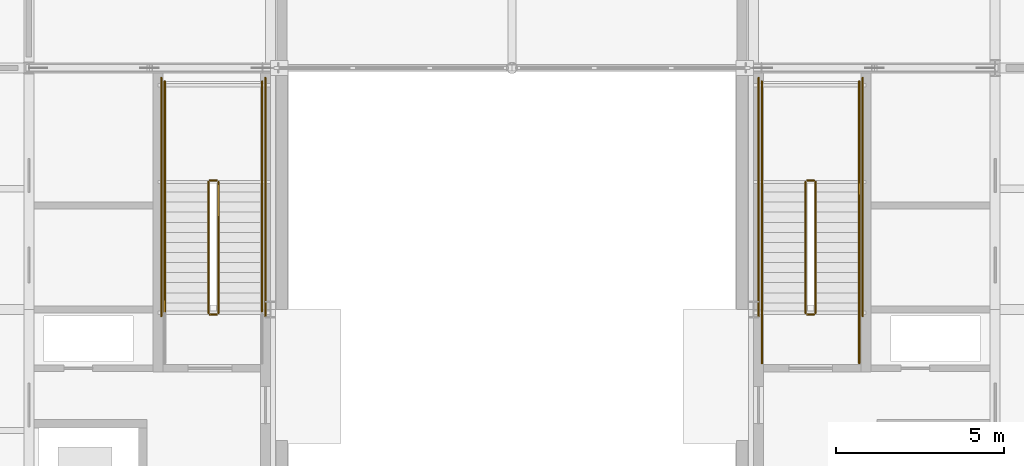
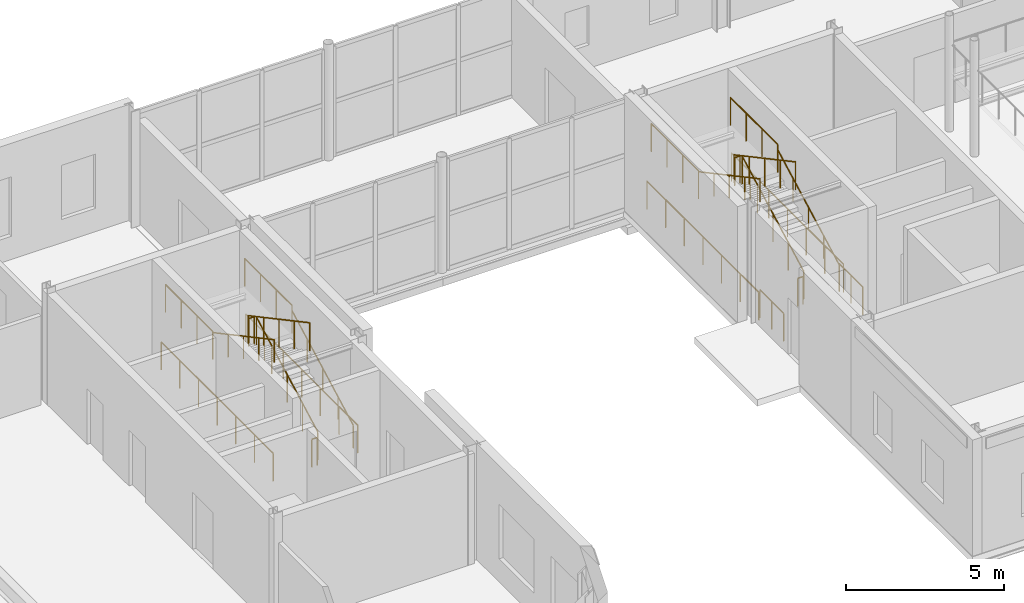
# One storey, part 75 of 92: 22 railings.
"""IFC4 building model written with IfcOpenShell, lengths in metres."""

from ifc_helpers import new_model, si_unit, direction, frame, origin, origin_2d, place, context, subcontext, project, spatial, circle, extrude, material, type_object, element, save


model = new_model("IFC4")

# Units and contexts
model_context = context("Model", 3, precision=1e-05, world=origin(), true_north=direction((0.0, 1.0)))
body_context = subcontext(model_context, "Body", "Model", "MODEL_VIEW")
ifc_project = project(units=[si_unit("LENGTHUNIT", "METRE"), si_unit("AREAUNIT", "SQUARE_METRE"), si_unit("VOLUMEUNIT", "CUBIC_METRE"), si_unit("PLANEANGLEUNIT", "RADIAN"), si_unit("MASSUNIT", "GRAM", prefix="KILO")], contexts=[model_context])

# Site, building, storey
site_placement = place(None, origin())
site = spatial("IfcSite", under=ifc_project, at=site_placement, CompositionType="ELEMENT")
building_placement = place(site_placement, origin())
building = spatial("IfcBuilding", under=site, at=building_placement, Name="Zlatovets Crest Museum", CompositionType="ELEMENT")
storey_placement = place(building_placement, origin())
storey = spatial("IfcBuildingStorey", under=building, at=storey_placement, Name="L00", CompositionType="ELEMENT", Elevation=0.0)

# Railings
ifc_material_1 = material(Name="Painted steel safety guardrail", Category="steel")
railing_type_1 = type_object("IfcRailingType", Name="StairGuard_SG01", PredefinedType="GUARDRAIL", material=ifc_material_1)
railing_1_placement = place(storey_placement, frame((59.449951171875, 14.300048828125, 0.16064453125)))
element("IfcRailing", 1, at=railing_1_placement, inside=storey, type_object=railing_type_1, Name="L00 ST2 stair guard 1", PredefinedType="GUARDRAIL", context=body_context, shape_type="SweptSolid", body=[
    extrude(circle(Radius=0.02392578125, at=origin_2d()), frame((0.0, 0.0, 1.076171875), z_axis=(0.0, 0.881468485026, 0.472242850561), x_axis=(-1.0, 0.0, 0.0)), (0.0, 0.0, 1.0), 4.42431640625),
    extrude(circle(Radius=0.02099609375, at=origin_2d()), origin(), (0.0, 0.0, 1.0), 1.052001953125),
    extrude(circle(Radius=0.02099609375, at=origin_2d()), frame((0.0, 0.97509765625, 0.5224609375)), (0.0, 0.0, 1.0), 1.052001953125),
    extrude(circle(Radius=0.02099609375, at=origin_2d()), frame((0.0, 1.949951171875, 1.044677734375)), (0.0, 0.0, 1.0), 1.052001953125),
    extrude(circle(Radius=0.02099609375, at=origin_2d()), frame((0.0, 2.9248046875, 1.56689453125)), (0.0, 0.0, 1.0), 1.052001953125),
    extrude(circle(Radius=0.02099609375, at=origin_2d()), frame((0.0, 3.89990234375, 2.08935546875)), (0.0, 0.0, 1.0), 1.052001953125),
])
railing_2_placement = place(storey_placement, frame((59.39990234375, 18.25, 2.25)))
element("IfcRailing", 2, at=railing_2_placement, inside=storey, type_object=railing_type_1, Name="L00 ST2 stair guard 2", PredefinedType="GUARDRAIL", context=body_context, shape_type="SweptSolid", body=[
    extrude(circle(Radius=0.02392578125, at=origin_2d()), frame((0.0, 0.0, 1.076171875), z_axis=(-1.0, 0.0, 0.0), x_axis=(0.0, -1.0, 0.0)), (0.0, 0.0, 1.0), 0.199951171875),
    extrude(circle(Radius=0.02099609375, at=origin_2d()), origin(), (0.0, 0.0, 1.0), 1.052001953125),
    extrude(circle(Radius=0.02099609375, at=origin_2d()), frame((-0.199951171875, 0.0, 0.0)), (0.0, 0.0, 1.0), 1.052001953125),
])
for number, where, name in (
    (3, (60.75, 18.199951171875, 2.25), "L00 ST2 stair guard 3"),
    (4, (57.85009765625, 18.199951171875, 2.25), "L00 ST2 stair guard 4"),
):
    element("IfcRailing", number, at=place(storey_placement, frame(where)), inside=storey, type_object=railing_type_1, Name=name, PredefinedType="GUARDRAIL", context=body_context, shape_type="SweptSolid", body=[
        extrude(circle(Radius=0.02392578125, at=origin_2d()), frame((0.0, 0.0, 1.076171875), z_axis=(0.0, 1.0, 0.0), x_axis=(-1.0, 0.0, 0.0)), (0.0, 0.0, 1.0), 3.0),
        extrude(circle(Radius=0.02099609375, at=origin_2d()), origin(), (0.0, 0.0, 1.0), 1.052001953125),
        extrude(circle(Radius=0.02099609375, at=origin_2d()), frame((0.0, 1.0, 0.0)), (0.0, 0.0, 1.0), 1.052001953125),
        extrude(circle(Radius=0.02099609375, at=origin_2d()), frame((0.0, 2.0, 0.0)), (0.0, 0.0, 1.0), 1.052001953125),
        extrude(circle(Radius=0.02099609375, at=origin_2d()), frame((0.0, 3.0, 0.0)), (0.0, 0.0, 1.0), 1.052001953125),
    ])
railing_3_placement = place(storey_placement, frame((59.14990234375, 18.199951171875, 2.41064453125)))
element("IfcRailing", 5, at=railing_3_placement, inside=storey, type_object=railing_type_1, Name="L00 ST2 stair guard 5", PredefinedType="GUARDRAIL", context=body_context, shape_type="SweptSolid", body=[
    extrude(circle(Radius=0.02392578125, at=origin_2d()), frame((0.0, 0.0, 1.076171875), z_axis=(0.0, -0.881468485026, 0.472242850561), x_axis=(1.0, 0.0, 0.0)), (0.0, 0.0, 1.0), 4.42431640625),
    extrude(circle(Radius=0.02099609375, at=origin_2d()), origin(), (0.0, 0.0, 1.0), 1.052001953125),
    extrude(circle(Radius=0.02099609375, at=origin_2d()), frame((0.0, -0.97509765625, 0.5224609375)), (0.0, 0.0, 1.0), 1.052001953125),
    extrude(circle(Radius=0.02099609375, at=origin_2d()), frame((0.0, -1.949951171875, 1.044677734375)), (0.0, 0.0, 1.0), 1.052001953125),
    extrude(circle(Radius=0.02099609375, at=origin_2d()), frame((0.0, -2.9248046875, 1.56689453125)), (0.0, 0.0, 1.0), 1.052001953125),
    extrude(circle(Radius=0.02099609375, at=origin_2d()), frame((0.0, -3.89990234375, 2.08935546875)), (0.0, 0.0, 1.0), 1.052001953125),
])
railing_4_placement = place(storey_placement, frame((59.39990234375, 14.25, 0.0)))
element("IfcRailing", 6, at=railing_4_placement, inside=storey, type_object=railing_type_1, Name="L00 ST2 stair guard 6", PredefinedType="GUARDRAIL", context=body_context, shape_type="SweptSolid", body=[
    extrude(circle(Radius=0.02392578125, at=origin_2d()), frame((0.0, 0.0, 1.076171875), z_axis=(-1.0, 0.0, 0.0), x_axis=(0.0, -1.0, 0.0)), (0.0, 0.0, 1.0), 0.199951171875),
    extrude(circle(Radius=0.02099609375, at=origin_2d()), origin(), (0.0, 0.0, 1.0), 1.052001953125),
    extrude(circle(Radius=0.02099609375, at=origin_2d()), frame((-0.199951171875, 0.0, 0.0)), (0.0, 0.0, 1.0), 1.052001953125),
])
for number, where, name in (
    (7, (60.75, 12.800048828125, 0.0), "L00 ST2 stair guard 7"),
    (8, (57.85009765625, 12.800048828125, 0.0), "L00 ST2 stair guard 8"),
):
    element("IfcRailing", number, at=place(storey_placement, frame(where)), inside=storey, type_object=railing_type_1, Name=name, PredefinedType="GUARDRAIL", context=body_context, shape_type="SweptSolid", body=[
        extrude(circle(Radius=0.02392578125, at=origin_2d()), frame((0.0, 0.0, 1.076171875), z_axis=(0.0, 1.0, 0.0), x_axis=(-1.0, 0.0, 0.0)), (0.0, 0.0, 1.0), 1.5),
        extrude(circle(Radius=0.02099609375, at=origin_2d()), origin(), (0.0, 0.0, 1.0), 1.052001953125),
        extrude(circle(Radius=0.02099609375, at=origin_2d()), frame((0.0, 0.75, 0.0)), (0.0, 0.0, 1.0), 1.052001953125),
        extrude(circle(Radius=0.02099609375, at=origin_2d()), frame((0.0, 1.5, 0.0)), (0.0, 0.0, 1.0), 1.052001953125),
    ])
for number, where, name in (
    (9, (60.85009765625, 14.199951171875, 0.0), "L00 ST2 stair guard 9"),
    (10, (57.75, 14.199951171875, 0.0), "L00 ST2 stair guard 10"),
):
    element("IfcRailing", number, at=place(storey_placement, frame(where)), inside=storey, type_object=railing_type_1, Name=name, PredefinedType="GUARDRAIL", context=body_context, shape_type="SweptSolid", body=[
        extrude(circle(Radius=0.02392578125, at=origin_2d()), frame((0.0, 0.0, 1.076171875), z_axis=(0.0, 1.0, 0.0), x_axis=(-1.0, 0.0, 0.0)), (0.0, 0.0, 1.0), 7.10009765625),
        extrude(circle(Radius=0.02099609375, at=origin_2d()), origin(), (0.0, 0.0, 1.0), 1.052001953125),
        extrude(circle(Radius=0.02099609375, at=origin_2d()), frame((0.0, 1.183349609375, 0.0)), (0.0, 0.0, 1.0), 1.052001953125),
        extrude(circle(Radius=0.02099609375, at=origin_2d()), frame((0.0, 2.36669921875, 0.0)), (0.0, 0.0, 1.0), 1.052001953125),
        extrude(circle(Radius=0.02099609375, at=origin_2d()), frame((0.0, 3.550048828125, 0.0)), (0.0, 0.0, 1.0), 1.052001953125),
        extrude(circle(Radius=0.02099609375, at=origin_2d()), frame((0.0, 4.7333984375, 0.0)), (0.0, 0.0, 1.0), 1.052001953125),
        extrude(circle(Radius=0.02099609375, at=origin_2d()), frame((0.0, 5.916748046875, 0.0)), (0.0, 0.0, 1.0), 1.052001953125),
        extrude(circle(Radius=0.02099609375, at=origin_2d()), frame((0.0, 7.10009765625, 0.0)), (0.0, 0.0, 1.0), 1.052001953125),
    ])
railing_5_placement = place(storey_placement, frame((41.64990234375, 14.300048828125, 0.16064453125)))
element("IfcRailing", 11, at=railing_5_placement, inside=storey, type_object=railing_type_1, Name="L00 ST3 stair guard 1", PredefinedType="GUARDRAIL", context=body_context, shape_type="SweptSolid", body=[
    extrude(circle(Radius=0.02392578125, at=origin_2d()), frame((0.0, 0.0, 1.076171875), z_axis=(0.0, 0.881468485026, 0.472242850561), x_axis=(-1.0, 0.0, 0.0)), (0.0, 0.0, 1.0), 4.42431640625),
    extrude(circle(Radius=0.02099609375, at=origin_2d()), origin(), (0.0, 0.0, 1.0), 1.052001953125),
    extrude(circle(Radius=0.02099609375, at=origin_2d()), frame((0.0, 0.97509765625, 0.5224609375)), (0.0, 0.0, 1.0), 1.052001953125),
    extrude(circle(Radius=0.02099609375, at=origin_2d()), frame((0.0, 1.949951171875, 1.044677734375)), (0.0, 0.0, 1.0), 1.052001953125),
    extrude(circle(Radius=0.02099609375, at=origin_2d()), frame((0.0, 2.9248046875, 1.56689453125)), (0.0, 0.0, 1.0), 1.052001953125),
    extrude(circle(Radius=0.02099609375, at=origin_2d()), frame((0.0, 3.89990234375, 2.08935546875)), (0.0, 0.0, 1.0), 1.052001953125),
])
railing_6_placement = place(storey_placement, frame((41.60009765625, 18.25, 2.25)))
element("IfcRailing", 12, at=railing_6_placement, inside=storey, type_object=railing_type_1, Name="L00 ST3 stair guard 2", PredefinedType="GUARDRAIL", context=body_context, shape_type="SweptSolid", body=[
    extrude(circle(Radius=0.02392578125, at=origin_2d()), frame((0.0, 0.0, 1.076171875), z_axis=(-1.0, 0.0, 0.0), x_axis=(0.0, -1.0, 0.0)), (0.0, 0.0, 1.0), 0.2001953125),
    extrude(circle(Radius=0.02099609375, at=origin_2d()), origin(), (0.0, 0.0, 1.0), 1.052001953125),
    extrude(circle(Radius=0.02099609375, at=origin_2d()), frame((-0.2001953125, 0.0, 0.0)), (0.0, 0.0, 1.0), 1.052001953125),
])
for number, where, name in (
    (13, (42.949951171875, 18.199951171875, 2.25), "L00 ST3 stair guard 3"),
    (14, (40.050048828125, 18.199951171875, 2.25), "L00 ST3 stair guard 4"),
):
    element("IfcRailing", number, at=place(storey_placement, frame(where)), inside=storey, type_object=railing_type_1, Name=name, PredefinedType="GUARDRAIL", context=body_context, shape_type="SweptSolid", body=[
        extrude(circle(Radius=0.02392578125, at=origin_2d()), frame((0.0, 0.0, 1.076171875), z_axis=(0.0, 1.0, 0.0), x_axis=(-1.0, 0.0, 0.0)), (0.0, 0.0, 1.0), 3.0),
        extrude(circle(Radius=0.02099609375, at=origin_2d()), origin(), (0.0, 0.0, 1.0), 1.052001953125),
        extrude(circle(Radius=0.02099609375, at=origin_2d()), frame((0.0, 1.0, 0.0)), (0.0, 0.0, 1.0), 1.052001953125),
        extrude(circle(Radius=0.02099609375, at=origin_2d()), frame((0.0, 2.0, 0.0)), (0.0, 0.0, 1.0), 1.052001953125),
        extrude(circle(Radius=0.02099609375, at=origin_2d()), frame((0.0, 3.0, 0.0)), (0.0, 0.0, 1.0), 1.052001953125),
    ])
railing_7_placement = place(storey_placement, frame((41.35009765625, 18.199951171875, 2.41064453125)))
element("IfcRailing", 15, at=railing_7_placement, inside=storey, type_object=railing_type_1, Name="L00 ST3 stair guard 5", PredefinedType="GUARDRAIL", context=body_context, shape_type="SweptSolid", body=[
    extrude(circle(Radius=0.02392578125, at=origin_2d()), frame((0.0, 0.0, 1.076171875), z_axis=(0.0, -0.881468485026, 0.472242850561), x_axis=(1.0, 0.0, 0.0)), (0.0, 0.0, 1.0), 4.42431640625),
    extrude(circle(Radius=0.02099609375, at=origin_2d()), origin(), (0.0, 0.0, 1.0), 1.052001953125),
    extrude(circle(Radius=0.02099609375, at=origin_2d()), frame((0.0, -0.97509765625, 0.5224609375)), (0.0, 0.0, 1.0), 1.052001953125),
    extrude(circle(Radius=0.02099609375, at=origin_2d()), frame((0.0, -1.949951171875, 1.044677734375)), (0.0, 0.0, 1.0), 1.052001953125),
    extrude(circle(Radius=0.02099609375, at=origin_2d()), frame((0.0, -2.9248046875, 1.56689453125)), (0.0, 0.0, 1.0), 1.052001953125),
    extrude(circle(Radius=0.02099609375, at=origin_2d()), frame((0.0, -3.89990234375, 2.08935546875)), (0.0, 0.0, 1.0), 1.052001953125),
])
railing_8_placement = place(storey_placement, frame((41.60009765625, 14.25, 0.0)))
element("IfcRailing", 16, at=railing_8_placement, inside=storey, type_object=railing_type_1, Name="L00 ST3 stair guard 6", PredefinedType="GUARDRAIL", context=body_context, shape_type="SweptSolid", body=[
    extrude(circle(Radius=0.02392578125, at=origin_2d()), frame((0.0, 0.0, 1.076171875), z_axis=(-1.0, 0.0, 0.0), x_axis=(0.0, -1.0, 0.0)), (0.0, 0.0, 1.0), 0.2001953125),
    extrude(circle(Radius=0.02099609375, at=origin_2d()), origin(), (0.0, 0.0, 1.0), 1.052001953125),
    extrude(circle(Radius=0.02099609375, at=origin_2d()), frame((-0.2001953125, 0.0, 0.0)), (0.0, 0.0, 1.0), 1.052001953125),
])
for number, where, name in (
    (17, (43.050048828125, 14.199951171875, 0.0), "L00 ST3 stair guard 9"),
    (18, (39.949951171875, 14.199951171875, 0.0), "L00 ST3 stair guard 10"),
):
    element("IfcRailing", number, at=place(storey_placement, frame(where)), inside=storey, type_object=railing_type_1, Name=name, PredefinedType="GUARDRAIL", context=body_context, shape_type="SweptSolid", body=[
        extrude(circle(Radius=0.02392578125, at=origin_2d()), frame((0.0, 0.0, 1.076171875), z_axis=(0.0, 1.0, 0.0), x_axis=(-1.0, 0.0, 0.0)), (0.0, 0.0, 1.0), 7.10009765625),
        extrude(circle(Radius=0.02099609375, at=origin_2d()), origin(), (0.0, 0.0, 1.0), 1.052001953125),
        extrude(circle(Radius=0.02099609375, at=origin_2d()), frame((0.0, 1.183349609375, 0.0)), (0.0, 0.0, 1.0), 1.052001953125),
        extrude(circle(Radius=0.02099609375, at=origin_2d()), frame((0.0, 2.36669921875, 0.0)), (0.0, 0.0, 1.0), 1.052001953125),
        extrude(circle(Radius=0.02099609375, at=origin_2d()), frame((0.0, 3.550048828125, 0.0)), (0.0, 0.0, 1.0), 1.052001953125),
        extrude(circle(Radius=0.02099609375, at=origin_2d()), frame((0.0, 4.7333984375, 0.0)), (0.0, 0.0, 1.0), 1.052001953125),
        extrude(circle(Radius=0.02099609375, at=origin_2d()), frame((0.0, 5.916748046875, 0.0)), (0.0, 0.0, 1.0), 1.052001953125),
        extrude(circle(Radius=0.02099609375, at=origin_2d()), frame((0.0, 7.10009765625, 0.0)), (0.0, 0.0, 1.0), 1.052001953125),
    ])
ifc_material_2 = material(Name="Brushed bronze stair handrail")
railing_type_2 = type_object("IfcRailingType", Name="StairHandrail_SH01", PredefinedType="HANDRAIL", material=ifc_material_2)
railing_9_placement = place(storey_placement, frame((60.75, 14.300048828125, 0.16064453125)))
element("IfcRailing", 19, at=railing_9_placement, inside=storey, type_object=railing_type_2, Name="L00 ST2 stair handrail 1", PredefinedType="HANDRAIL", context=body_context, shape_type="SweptSolid", body=[
    extrude(circle(Radius=0.02392578125, at=origin_2d()), frame((0.0, 0.0, 0.8759765625), z_axis=(0.0, 0.881468485026, 0.472242850561), x_axis=(-1.0, 0.0, 0.0)), (0.0, 0.0, 1.0), 4.42431640625),
    extrude(circle(Radius=0.02099609375, at=origin_2d()), origin(), (0.0, 0.0, 1.0), 0.851806640625),
    extrude(circle(Radius=0.02099609375, at=origin_2d()), frame((0.0, 0.97509765625, 0.5224609375)), (0.0, 0.0, 1.0), 0.851806640625),
    extrude(circle(Radius=0.02099609375, at=origin_2d()), frame((0.0, 1.949951171875, 1.044677734375)), (0.0, 0.0, 1.0), 0.851806640625),
    extrude(circle(Radius=0.02099609375, at=origin_2d()), frame((0.0, 2.9248046875, 1.56689453125)), (0.0, 0.0, 1.0), 0.851806640625),
    extrude(circle(Radius=0.02099609375, at=origin_2d()), frame((0.0, 3.89990234375, 2.08935546875)), (0.0, 0.0, 1.0), 0.851806640625),
])
railing_10_placement = place(storey_placement, frame((57.85009765625, 18.199951171875, 2.41064453125)))
element("IfcRailing", 20, at=railing_10_placement, inside=storey, type_object=railing_type_2, Name="L00 ST2 stair handrail 2", PredefinedType="HANDRAIL", context=body_context, shape_type="SweptSolid", body=[
    extrude(circle(Radius=0.02392578125, at=origin_2d()), frame((0.0, 0.0, 0.8759765625), z_axis=(0.0, -0.881468485026, 0.472242850561), x_axis=(1.0, 0.0, 0.0)), (0.0, 0.0, 1.0), 4.42431640625),
    extrude(circle(Radius=0.02099609375, at=origin_2d()), origin(), (0.0, 0.0, 1.0), 0.851806640625),
    extrude(circle(Radius=0.02099609375, at=origin_2d()), frame((0.0, -0.97509765625, 0.5224609375)), (0.0, 0.0, 1.0), 0.851806640625),
    extrude(circle(Radius=0.02099609375, at=origin_2d()), frame((0.0, -1.949951171875, 1.044677734375)), (0.0, 0.0, 1.0), 0.851806640625),
    extrude(circle(Radius=0.02099609375, at=origin_2d()), frame((0.0, -2.9248046875, 1.56689453125)), (0.0, 0.0, 1.0), 0.851806640625),
    extrude(circle(Radius=0.02099609375, at=origin_2d()), frame((0.0, -3.89990234375, 2.08935546875)), (0.0, 0.0, 1.0), 0.851806640625),
])
railing_11_placement = place(storey_placement, frame((42.949951171875, 14.300048828125, 0.16064453125)))
element("IfcRailing", 21, at=railing_11_placement, inside=storey, type_object=railing_type_2, Name="L00 ST3 stair handrail 1", PredefinedType="HANDRAIL", context=body_context, shape_type="SweptSolid", body=[
    extrude(circle(Radius=0.02392578125, at=origin_2d()), frame((0.0, 0.0, 0.8759765625), z_axis=(0.0, 0.881468485026, 0.472242850561), x_axis=(-1.0, 0.0, 0.0)), (0.0, 0.0, 1.0), 4.42431640625),
    extrude(circle(Radius=0.02099609375, at=origin_2d()), origin(), (0.0, 0.0, 1.0), 0.851806640625),
    extrude(circle(Radius=0.02099609375, at=origin_2d()), frame((0.0, 0.97509765625, 0.5224609375)), (0.0, 0.0, 1.0), 0.851806640625),
    extrude(circle(Radius=0.02099609375, at=origin_2d()), frame((0.0, 1.949951171875, 1.044677734375)), (0.0, 0.0, 1.0), 0.851806640625),
    extrude(circle(Radius=0.02099609375, at=origin_2d()), frame((0.0, 2.9248046875, 1.56689453125)), (0.0, 0.0, 1.0), 0.851806640625),
    extrude(circle(Radius=0.02099609375, at=origin_2d()), frame((0.0, 3.89990234375, 2.08935546875)), (0.0, 0.0, 1.0), 0.851806640625),
])
railing_12_placement = place(storey_placement, frame((40.050048828125, 18.199951171875, 2.41064453125)))
element("IfcRailing", 22, at=railing_12_placement, inside=storey, type_object=railing_type_2, Name="L00 ST3 stair handrail 2", PredefinedType="HANDRAIL", context=body_context, shape_type="SweptSolid", body=[
    extrude(circle(Radius=0.02392578125, at=origin_2d()), frame((0.0, 0.0, 0.8759765625), z_axis=(0.0, -0.881468485026, 0.472242850561), x_axis=(1.0, 0.0, 0.0)), (0.0, 0.0, 1.0), 4.42431640625),
    extrude(circle(Radius=0.02099609375, at=origin_2d()), origin(), (0.0, 0.0, 1.0), 0.851806640625),
    extrude(circle(Radius=0.02099609375, at=origin_2d()), frame((0.0, -0.97509765625, 0.5224609375)), (0.0, 0.0, 1.0), 0.851806640625),
    extrude(circle(Radius=0.02099609375, at=origin_2d()), frame((0.0, -1.949951171875, 1.044677734375)), (0.0, 0.0, 1.0), 0.851806640625),
    extrude(circle(Radius=0.02099609375, at=origin_2d()), frame((0.0, -2.9248046875, 1.56689453125)), (0.0, 0.0, 1.0), 0.851806640625),
    extrude(circle(Radius=0.02099609375, at=origin_2d()), frame((0.0, -3.89990234375, 2.08935546875)), (0.0, 0.0, 1.0), 0.851806640625),
])

save(model, "model.ifc")
